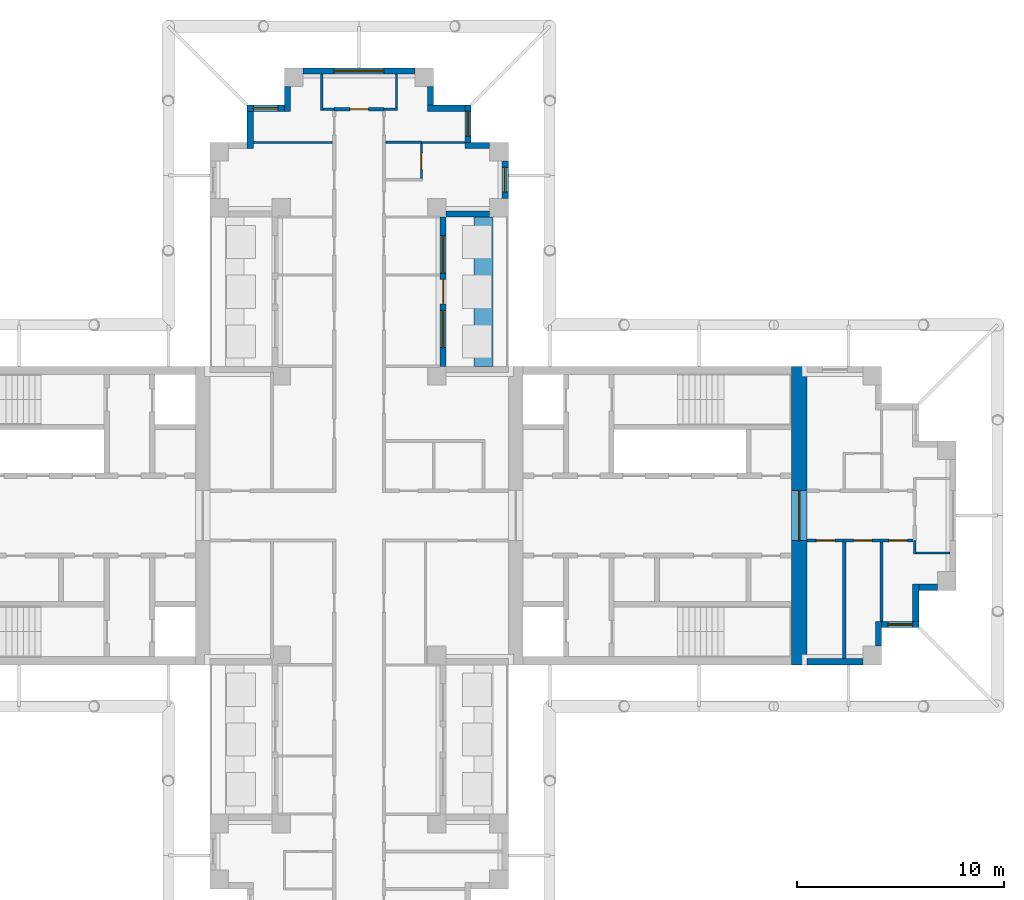
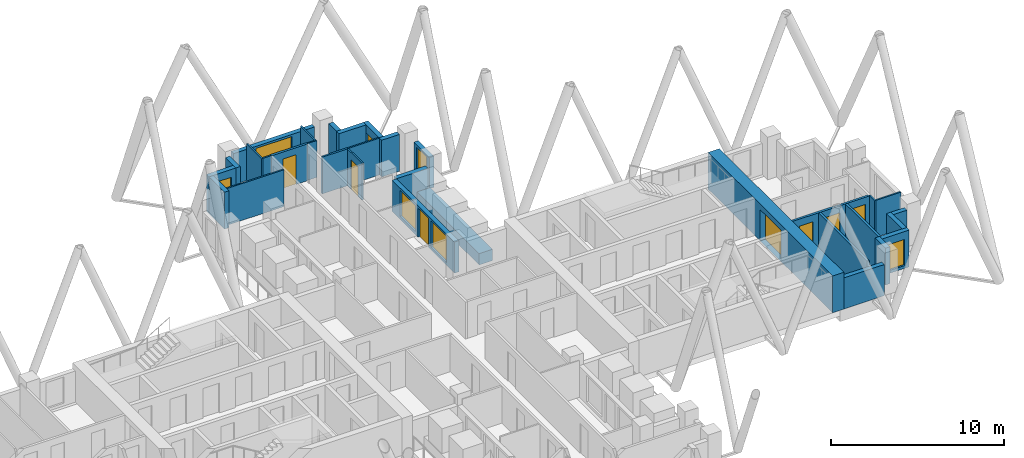
# One storey, part 8 of 12: 32 walls, 7 doors, 7 windows, 14 openings.
"""IFC4 building model written with IfcOpenShell, lengths in metres."""

from ifc_helpers import new_model, si_unit, direction, frame, frame_2d, origin, place, context, subcontext, project, spatial, rectangle, extrude, material, layer, layer_set, type_object, element, fill, save


model = new_model("IFC4")

# Units and contexts
model_context = context("Model", 3, precision=1e-05, world=origin(), true_north=direction((0.0, 1.0)))
body_context = subcontext(model_context, "Body", "Model", "MODEL_VIEW")
ifc_project = project(units=[si_unit("LENGTHUNIT", "METRE"), si_unit("AREAUNIT", "SQUARE_METRE"), si_unit("VOLUMEUNIT", "CUBIC_METRE"), si_unit("PLANEANGLEUNIT", "RADIAN"), si_unit("MASSUNIT", "GRAM", prefix="KILO")], contexts=[model_context])

# Site, building, storey
site_placement = place(None, origin())
site = spatial("IfcSite", under=ifc_project, at=site_placement, CompositionType="ELEMENT")
building_placement = place(site_placement, origin())
building = spatial("IfcBuilding", under=site, at=building_placement, Name="Fustian Cross Tower", CompositionType="ELEMENT")
storey_placement = place(building_placement, frame((0.0, 0.0, 179.699951171875)))
storey = spatial("IfcBuildingStorey", under=building, at=storey_placement, Name="L56", CompositionType="ELEMENT", Elevation=179.699951171875)

# Wall, opening, door
ifc_material_1 = material(Name="Plasterboard on steel stud", Category="steel")
ifc_layer_1 = layer(ifc_material_1, 0.14990234375)
ifc_layer_set_1 = layer_set([ifc_layer_1], Name="Plasterboard on steel stud")
wall_type_1 = type_object("IfcWallType", Name="COMPARTMENT WALL 150 EI 60", PredefinedType="PARTITIONING", material=ifc_layer_set_1)
wall_1_placement = place(storey_placement, frame((-1.199951171875, 19.60009765625, 0.0), z_axis=(0.0, 0.0, 1.0), x_axis=(1.0, 0.0, 0.0)))
wall_1 = element("IfcWall", 1, at=wall_1_placement, inside=storey, type_object=wall_type_1, Name="Partition 34", PredefinedType="PARTITIONING", context=body_context, shape_type="SweptSolid", body=[
    extrude(rectangle(XDim=2.39990234375, YDim=0.14990234375, at=frame_2d((1.199951171875, 0.0))), origin(), (0.0, 0.0, 1.0), 2.60009765625),
])
opening_1_placement = place(wall_1_placement, frame((0.75, 0.0, 0.0)))
opening_1 = element("IfcOpeningElement", 2, at=opening_1_placement, cuts=wall_1, Name="Opening D26017", PredefinedType="OPENING", context=body_context, shape_type="SweptSolid", body=[
    extrude(rectangle(XDim=0.89990234375, YDim=2.10009765625, at=frame_2d((0.449951171875, 1.050048828125))), frame((0.0, 0.0849609375, 0.0), z_axis=(0.0, -1.0, 0.0), x_axis=(1.0, 0.0, 0.0)), (0.0, 0.0, 1.0), 0.169921875),
])
ifc_material_2 = material(Name="Timber fire door set", Category="wood")
door_type_1 = type_object("IfcDoorType", Name="FIRE SWING DOOR 900 FD30S", OperationType="SINGLE_SWING_LEFT", PredefinedType="DOOR", material=ifc_material_2)
door_1_placement = place(opening_1_placement, origin())
door_1 = element("IfcDoor", 3, at=door_1_placement, inside=storey, type_object=door_type_1, Name="Door D26017", OperationType="SINGLE_SWING_LEFT", OverallHeight=2.10009765625, OverallWidth=0.89990234375, PredefinedType="DOOR", context=body_context, shape_type="SweptSolid", body=[
    extrude(rectangle(XDim=0.89990234375, YDim=2.10009765625, at=frame_2d((0.449951171875, 1.050048828125))), frame((0.0, 0.02490234375, 0.0), z_axis=(0.0, -1.0, 0.0), x_axis=(1.0, 0.0, 0.0)), (0.0, 0.0, 1.0), 0.050048828125),
])
fill(opening_1, door_1)

# Wall, openings, doors
wall_2_placement = place(storey_placement, frame((21.60009765625, -1.199951171875, 0.0), z_axis=(0.0, 0.0, 1.0), x_axis=(1.0, 0.0, 0.0)))
wall_2 = element("IfcWall", 4, at=wall_2_placement, inside=storey, type_object=wall_type_1, Name="Partition 58", PredefinedType="PARTITIONING", context=body_context, shape_type="SweptSolid", body=[
    extrude(rectangle(XDim=5.125, YDim=0.14990234375, at=frame_2d((2.5625, 0.0))), origin(), (0.0, 0.0, 1.0), 2.60009765625),
])
opening_2_placement = place(wall_2_placement, frame((0.449951171875, 0.0, 0.0)))
opening_2 = element("IfcOpeningElement", 5, at=opening_2_placement, cuts=wall_2, Name="Opening D26014", PredefinedType="OPENING", context=body_context, shape_type="SweptSolid", body=[
    extrude(rectangle(XDim=0.89990234375, YDim=2.10009765625, at=frame_2d((0.449951171875, 1.050048828125))), frame((0.0, 0.0849609375, 0.0), z_axis=(0.0, -1.0, 0.0), x_axis=(1.0, 0.0, 0.0)), (0.0, 0.0, 1.0), 0.169921875),
])
opening_3_placement = place(wall_2_placement, frame((2.25, 0.0, 0.0)))
opening_3 = element("IfcOpeningElement", 6, at=opening_3_placement, cuts=wall_2, Name="Opening D26015", PredefinedType="OPENING", context=body_context, shape_type="SweptSolid", body=[
    extrude(rectangle(XDim=0.89990234375, YDim=2.10009765625, at=frame_2d((0.449951171875, 1.050048828125))), frame((0.0, 0.0849609375, 0.0), z_axis=(0.0, -1.0, 0.0), x_axis=(1.0, 0.0, 0.0)), (0.0, 0.0, 1.0), 0.169921875),
])
opening_4_placement = place(wall_2_placement, frame((3.949951171875, 0.0, 0.0)))
opening_4 = element("IfcOpeningElement", 7, at=opening_4_placement, cuts=wall_2, Name="Opening D26016", PredefinedType="OPENING", context=body_context, shape_type="SweptSolid", body=[
    extrude(rectangle(XDim=0.89990234375, YDim=2.10009765625, at=frame_2d((0.449951171875, 1.050048828125))), frame((0.0, 0.0849609375, 0.0), z_axis=(0.0, -1.0, 0.0), x_axis=(1.0, 0.0, 0.0)), (0.0, 0.0, 1.0), 0.169921875),
])
door_2_placement = place(opening_2_placement, frame((0.89990234375, 0.0, 0.0), z_axis=(0.0, 0.0, 1.0), x_axis=(-1.0, 0.0, 0.0)))
door_2 = element("IfcDoor", 8, at=door_2_placement, inside=storey, type_object=door_type_1, Name="Door D26014", OperationType="SINGLE_SWING_LEFT", OverallHeight=2.10009765625, OverallWidth=0.89990234375, PredefinedType="DOOR", context=body_context, shape_type="SweptSolid", body=[
    extrude(rectangle(XDim=0.89990234375, YDim=2.10009765625, at=frame_2d((0.449951171875, 1.050048828125))), frame((0.0, 0.02490234375, 0.0), z_axis=(0.0, -1.0, 0.0), x_axis=(1.0, 0.0, 0.0)), (0.0, 0.0, 1.0), 0.050048828125),
])
fill(opening_2, door_2)
door_3_placement = place(opening_3_placement, frame((0.89990234375, 0.0, 0.0), z_axis=(0.0, 0.0, 1.0), x_axis=(-1.0, 0.0, 0.0)))
door_3 = element("IfcDoor", 9, at=door_3_placement, inside=storey, type_object=door_type_1, Name="Door D26015", OperationType="SINGLE_SWING_LEFT", OverallHeight=2.10009765625, OverallWidth=0.89990234375, PredefinedType="DOOR", context=body_context, shape_type="SweptSolid", body=[
    extrude(rectangle(XDim=0.89990234375, YDim=2.10009765625, at=frame_2d((0.449951171875, 1.050048828125))), frame((0.0, 0.02490234375, 0.0), z_axis=(0.0, -1.0, 0.0), x_axis=(1.0, 0.0, 0.0)), (0.0, 0.0, 1.0), 0.050048828125),
])
fill(opening_3, door_3)
door_4_placement = place(opening_4_placement, frame((0.89990234375, 0.0, 0.0), z_axis=(0.0, 0.0, 1.0), x_axis=(-1.0, 0.0, 0.0)))
door_4 = element("IfcDoor", 10, at=door_4_placement, inside=storey, type_object=door_type_1, Name="Door D26016", OperationType="SINGLE_SWING_RIGHT", OverallHeight=2.10009765625, OverallWidth=0.89990234375, PredefinedType="DOOR", context=body_context, shape_type="SweptSolid", body=[
    extrude(rectangle(XDim=0.89990234375, YDim=2.10009765625, at=frame_2d((0.449951171875, 1.050048828125))), frame((0.0, 0.02490234375, 0.0), z_axis=(0.0, -1.0, 0.0), x_axis=(1.0, 0.0, 0.0)), (0.0, 0.0, 1.0), 0.050048828125),
])
fill(opening_4, door_4)

# Walls
wall_3_placement = place(storey_placement, frame((23.39990234375, -6.89990234375, 0.0), z_axis=(0.0, 0.0, 1.0), x_axis=(0.0, 1.0, 0.0)))
element("IfcWall", 11, at=wall_3_placement, inside=storey, type_object=wall_type_1, Name="Partition 60", PredefinedType="PARTITIONING", context=body_context, shape_type="SweptSolid", body=[
    extrude(rectangle(XDim=5.625, YDim=0.14990234375, at=frame_2d((2.8125, 0.0))), origin(), (0.0, 0.0, 1.0), 2.60009765625),
])
wall_4_placement = place(storey_placement, frame((25.199951171875, -5.10009765625, 0.0), z_axis=(0.0, 0.0, 1.0), x_axis=(0.0, 1.0, 0.0)))
element("IfcWall", 12, at=wall_4_placement, inside=storey, type_object=wall_type_1, Name="Partition 63", PredefinedType="PARTITIONING", context=body_context, shape_type="SweptSolid", body=[
    extrude(rectangle(XDim=3.8251953125, YDim=0.14990234375, at=frame_2d((1.91259765625, 0.0))), origin(), (0.0, 0.0, 1.0), 2.60009765625),
])

# Wall, opening, door
ifc_material_3 = material(Name="Concrete C50/60", Category="concrete")
ifc_layer_2 = layer(ifc_material_3, 0.75)
ifc_layer_set_2 = layer_set([ifc_layer_2], Name="Concrete C50/60")
wall_type_2 = type_object("IfcWallType", Name="CORE END WALL 750 C50/60", PredefinedType="SHEAR", material=ifc_layer_set_2)
wall_5_placement = place(storey_placement, frame((21.22509765625, -7.199951171875, 0.0), z_axis=(0.0, 0.0, 1.0), x_axis=(0.0, 1.0, 0.0)))
wall_5 = element("IfcWall", 13, at=wall_5_placement, inside=storey, type_object=wall_type_2, Name="Core end wall", PredefinedType="SHEAR", context=body_context, shape_type="SweptSolid", body=[
    extrude(rectangle(XDim=14.39990234375, YDim=0.75, at=frame_2d((7.199951171875, 0.0))), origin(), (0.0, 0.0, 1.0), 2.60009765625),
])
opening_5_placement = place(wall_5_placement, frame((6.0, 0.0, 0.0)))
opening_5 = element("IfcOpeningElement", 14, at=opening_5_placement, cuts=wall_5, Name="Opening CD-23-13", PredefinedType="OPENING", context=body_context, shape_type="SweptSolid", body=[
    extrude(rectangle(XDim=2.39990234375, YDim=2.199951171875, at=frame_2d((1.199951171875, 1.10009765625))), frame((0.0, 0.385009765625, 0.0), z_axis=(0.0, -1.0, 0.0), x_axis=(1.0, 0.0, 0.0)), (0.0, 0.0, 1.0), 0.77001953125),
])
ifc_material_4 = material(Name="Steel", Category="steel")
door_type_2 = type_object("IfcDoorType", Name="FIRE DOOR FD30S DOUBLE 2400X2200", OperationType="DOUBLE_DOOR_DOUBLE_SWING", PredefinedType="DOOR", material=ifc_material_4)
door_5_placement = place(opening_5_placement, origin())
door_5 = element("IfcDoor", 15, at=door_5_placement, inside=storey, type_object=door_type_2, Name="Core door CD-23-13", OperationType="DOUBLE_DOOR_DOUBLE_SWING", OverallHeight=2.199951171875, OverallWidth=2.39990234375, PredefinedType="DOOR", context=body_context, shape_type="SweptSolid", body=[
    extrude(rectangle(XDim=2.39990234375, YDim=2.199951171875, at=frame_2d((1.199951171875, 1.10009765625))), frame((0.0, 0.02490234375, 0.0), z_axis=(0.0, -1.0, 0.0), x_axis=(1.0, 0.0, 0.0)), (0.0, 0.0, 1.0), 0.050048828125),
])
fill(opening_5, door_5)

# Walls
ifc_material_5 = material(Name="Plasterboard on steel stud", Category="steel")
ifc_layer_3 = layer(ifc_material_5, 0.10009765625)
ifc_layer_set_3 = layer_set([ifc_layer_3], Name="Plasterboard on steel stud")
wall_type_3 = type_object("IfcWallType", Name="PARTITION 100 STUD", PredefinedType="PARTITIONING", material=ifc_layer_set_3)
wall_6_placement = place(storey_placement, frame((-5.10009765625, 18.0, 0.0), z_axis=(0.0, 0.0, 1.0), x_axis=(1.0, 0.0, 0.0)))
element("IfcWall", 16, at=wall_6_placement, inside=storey, type_object=wall_type_3, Name="Partition 15", PredefinedType="PARTITIONING", context=body_context, shape_type="SweptSolid", body=[
    extrude(rectangle(XDim=3.8251953125, YDim=0.10009765625, at=frame_2d((1.91259765625, 0.0))), origin(), (0.0, 0.0, 1.0), 2.60009765625),
])
wall_7_placement = place(storey_placement, frame((-1.800048828125, 19.550048828125, 0.0), z_axis=(0.0, 0.0, 1.0), x_axis=(0.0, 1.0, 0.0)))
element("IfcWall", 17, at=wall_7_placement, inside=storey, type_object=wall_type_3, Name="Partition 29", PredefinedType="PARTITIONING", context=body_context, shape_type="SweptSolid", body=[
    extrude(rectangle(XDim=1.75, YDim=0.10009765625, at=frame_2d((0.875, 0.0))), origin(), (0.0, 0.0, 1.0), 2.60009765625),
])
wall_8_placement = place(storey_placement, frame((-1.75, 19.60009765625, 0.0), z_axis=(0.0, 0.0, 1.0), x_axis=(1.0, 0.0, 0.0)))
element("IfcWall", 18, at=wall_8_placement, inside=storey, type_object=wall_type_3, Name="Partition 30", PredefinedType="PARTITIONING", context=body_context, shape_type="SweptSolid", body=[
    extrude(rectangle(XDim=0.550048828125, YDim=0.10009765625, at=frame_2d((0.27490234375, 0.0))), origin(), (0.0, 0.0, 1.0), 2.60009765625),
])
wall_9_placement = place(storey_placement, frame((1.199951171875, 19.60009765625, 0.0), z_axis=(0.0, 0.0, 1.0), x_axis=(1.0, 0.0, 0.0)))
element("IfcWall", 19, at=wall_9_placement, inside=storey, type_object=wall_type_3, Name="Partition 50", PredefinedType="PARTITIONING", context=body_context, shape_type="SweptSolid", body=[
    extrude(rectangle(XDim=0.650146484375, YDim=0.10009765625, at=frame_2d((0.3251953125, 0.0))), origin(), (0.0, 0.0, 1.0), 2.60009765625),
])
wall_10_placement = place(storey_placement, frame((1.800048828125, 19.64990234375, 0.0), z_axis=(0.0, 0.0, 1.0), x_axis=(0.0, 1.0, 0.0)))
element("IfcWall", 20, at=wall_10_placement, inside=storey, type_object=wall_type_3, Name="Partition 52", PredefinedType="PARTITIONING", context=body_context, shape_type="SweptSolid", body=[
    extrude(rectangle(XDim=1.650146484375, YDim=0.10009765625, at=frame_2d((0.8251953125, 0.0))), origin(), (0.0, 0.0, 1.0), 2.60009765625),
])

# Wall, opening, door
wall_11_placement = place(storey_placement, frame((3.0, 16.25, 0.0), z_axis=(0.0, 0.0, 1.0), x_axis=(0.0, 1.0, 0.0)))
wall_11 = element("IfcWall", 21, at=wall_11_placement, inside=storey, type_object=wall_type_3, Name="Partition 53", PredefinedType="PARTITIONING", context=body_context, shape_type="SweptSolid", body=[
    extrude(rectangle(XDim=1.6875, YDim=0.10009765625, at=frame_2d((0.84375, 0.0))), origin(), (0.0, 0.0, 1.0), 2.60009765625),
])
opening_6_placement = place(wall_11_placement, frame((0.449951171875, 0.0, 0.0)))
opening_6 = element("IfcOpeningElement", 22, at=opening_6_placement, cuts=wall_11, Name="Opening D26024", PredefinedType="OPENING", context=body_context, shape_type="SweptSolid", body=[
    extrude(rectangle(XDim=0.800048828125, YDim=2.10009765625, at=frame_2d((0.39990234375, 1.050048828125))), frame((0.0, 0.06005859375, 0.0), z_axis=(0.0, -1.0, 0.0), x_axis=(1.0, 0.0, 0.0)), (0.0, 0.0, 1.0), 0.1201171875),
])
ifc_material_6 = material(Name="Painted timber", Category="wood")
door_type_3 = type_object("IfcDoorType", Name="SWING DOOR 800", OperationType="SINGLE_SWING_LEFT", PredefinedType="DOOR", material=ifc_material_6)
door_6_placement = place(opening_6_placement, origin())
door_6 = element("IfcDoor", 23, at=door_6_placement, inside=storey, type_object=door_type_3, Name="Door D26024", OperationType="SINGLE_SWING_RIGHT", OverallHeight=2.10009765625, OverallWidth=0.800048828125, PredefinedType="DOOR", context=body_context, shape_type="SweptSolid", body=[
    extrude(rectangle(XDim=0.800048828125, YDim=2.10009765625, at=frame_2d((0.39990234375, 1.050048828125))), frame((0.0, 0.02490234375, 0.0), z_axis=(0.0, -1.0, 0.0), x_axis=(1.0, 0.0, 0.0)), (0.0, 0.0, 1.0), 0.050048828125),
])
fill(opening_6, door_6)

# Walls
wall_12_placement = place(storey_placement, frame((3.0, 18.0, 0.0), z_axis=(0.0, 0.0, 1.0), x_axis=(1.0, 0.0, 0.0)))
element("IfcWall", 24, at=wall_12_placement, inside=storey, type_object=wall_type_3, Name="Partition 54", PredefinedType="PARTITIONING", context=body_context, shape_type="SweptSolid", body=[
    extrude(rectangle(XDim=2.10009765625, YDim=0.10009765625, at=frame_2d((1.050048828125, 0.0))), origin(), (0.0, 0.0, 1.0), 2.60009765625),
])
wall_13_placement = place(storey_placement, frame((26.800048828125, -1.85009765625, 0.0), z_axis=(0.0, 0.0, 1.0), x_axis=(0.0, 1.0, 0.0)))
element("IfcWall", 25, at=wall_13_placement, inside=storey, type_object=wall_type_3, Name="Partition 66", PredefinedType="PARTITIONING", context=body_context, shape_type="SweptSolid", body=[
    extrude(rectangle(XDim=0.650146484375, YDim=0.10009765625, at=frame_2d((0.3251953125, 0.0))), origin(), (0.0, 0.0, 1.0), 2.60009765625),
])
wall_14_placement = place(storey_placement, frame((26.85009765625, -1.800048828125, 0.0), z_axis=(0.0, 0.0, 1.0), x_axis=(1.0, 0.0, 0.0)))
element("IfcWall", 26, at=wall_14_placement, inside=storey, type_object=wall_type_3, Name="Partition 67", PredefinedType="PARTITIONING", context=body_context, shape_type="SweptSolid", body=[
    extrude(rectangle(XDim=1.64990234375, YDim=0.10009765625, at=frame_2d((0.824951171875, 0.0))), origin(), (0.0, 0.0, 1.0), 2.60009765625),
])
ifc_material_7 = material(Name="Concrete C40/50", Category="concrete")
ifc_layer_4 = layer(ifc_material_7, 0.89990234375)
ifc_layer_set_4 = layer_set([ifc_layer_4], Name="Concrete C40/50")
wall_type_4 = type_object("IfcWallType", Name="PK1 PLANTER 900", PredefinedType="PARAPET", material=ifc_layer_set_4)
wall_15_placement = place(storey_placement, frame((6.0, 7.199951171875, 0.0), z_axis=(0.0, 0.0, 1.0), x_axis=(0.0, 1.0, 0.0)))
element("IfcWall", 27, at=wall_15_placement, inside=storey, type_object=wall_type_4, Name="PLANTER", PredefinedType="PARAPET", context=body_context, shape_type="SweptSolid", body=[
    extrude(rectangle(XDim=7.199951171875, YDim=0.89990234375, at=frame_2d((3.60009765625, 0.0))), origin(), (0.0, 0.0, 1.0), 0.800048828125),
])
ifc_material_8 = material(Name="Plasterboard on steel stud", Category="steel")
ifc_layer_5 = layer(ifc_material_8, 0.125)
ifc_layer_set_5 = layer_set([ifc_layer_5], Name="Plasterboard on steel stud")
wall_type_5 = type_object("IfcWallType", Name="WET WALL 125 STUD", PredefinedType="PARTITIONING", material=ifc_layer_set_5)
wall_16_placement = place(storey_placement, frame((1.27490234375, 18.0, 0.0), z_axis=(0.0, 0.0, 1.0), x_axis=(1.0, 0.0, 0.0)))
element("IfcWall", 28, at=wall_16_placement, inside=storey, type_object=wall_type_5, Name="Partition 49", PredefinedType="PARTITIONING", context=body_context, shape_type="SweptSolid", body=[
    extrude(rectangle(XDim=1.72509765625, YDim=0.125, at=frame_2d((0.862548828125, 0.0))), origin(), (0.0, 0.0, 1.0), 2.60009765625),
])
ifc_material_9 = material(Name="Dark aluminium cladding on insulated backing wall", Category="aluminium")
ifc_layer_6 = layer(ifc_material_9, 0.300048828125)
ifc_layer_set_6 = layer_set([ifc_layer_6], Name="Dark aluminium cladding on insulated backing wall")
wall_type_6 = type_object("IfcWallType", Name="XW1 EXTERNAL WALL 300", PredefinedType="SOLIDWALL", material=ifc_layer_set_6)
wall_17_placement = place(storey_placement, frame((21.60009765625, -7.050048828125, 0.0), z_axis=(0.0, 0.0, 1.0), x_axis=(1.0, 0.0, 0.0)))
element("IfcWall", 29, at=wall_17_placement, inside=storey, type_object=wall_type_6, Name="External wall", PredefinedType="SOLIDWALL", context=body_context, shape_type="SweptSolid", body=[
    extrude(rectangle(XDim=2.699951171875, YDim=0.300048828125, at=frame_2d((1.35009765625, 0.0))), origin(), (0.0, 0.0, 1.0), 2.199951171875),
])
wall_18_placement = place(storey_placement, frame((25.050048828125, -6.300048828125, 0.0), z_axis=(0.0, 0.0, 1.0), x_axis=(0.0, 1.0, 0.0)))
element("IfcWall", 30, at=wall_18_placement, inside=storey, type_object=wall_type_6, Name="External wall", PredefinedType="SOLIDWALL", context=body_context, shape_type="SweptSolid", body=[
    extrude(rectangle(XDim=1.199951171875, YDim=0.300048828125, at=frame_2d((0.60009765625, 0.0))), origin(), (0.0, 0.0, 1.0), 2.60009765625),
])

# Wall, opening, window
wall_19_placement = place(storey_placement, frame((25.199951171875, -5.25, 0.0), z_axis=(0.0, 0.0, 1.0), x_axis=(1.0, 0.0, 0.0)))
wall_19 = element("IfcWall", 31, at=wall_19_placement, inside=storey, type_object=wall_type_6, Name="External wall", PredefinedType="SOLIDWALL", context=body_context, shape_type="SweptSolid", body=[
    extrude(rectangle(XDim=1.800048828125, YDim=0.300048828125, at=frame_2d((0.89990234375, 0.0))), origin(), (0.0, 0.0, 1.0), 2.60009765625),
])
opening_7_placement = place(wall_19_placement, frame((0.300048828125, 0.0, 0.199951171875)))
opening_7 = element("IfcOpeningElement", 32, at=opening_7_placement, cuts=wall_19, Name="Opening WN3", PredefinedType="OPENING", context=body_context, shape_type="SweptSolid", body=[
    extrude(rectangle(XDim=1.199951171875, YDim=1.85009765625, at=frame_2d((0.60009765625, 0.925048828125))), frame((0.0, 0.159912109375, 0.0), z_axis=(0.0, -1.0, 0.0), x_axis=(1.0, 0.0, 0.0)), (0.0, 0.0, 1.0), 0.320068359375),
])
ifc_material_10 = material(Name="Dark anodised aluminium and double glazing", Category="aluminium")
window_type_1 = type_object("IfcWindowType", Name="WN3 WINDOW 1200X1850", PartitioningType="SINGLE_PANEL", PredefinedType="WINDOW", material=ifc_material_10)
window_1_placement = place(opening_7_placement, origin())
window_1 = element("IfcWindow", 33, at=window_1_placement, inside=storey, type_object=window_type_1, Name="Window", OverallHeight=1.85009765625, OverallWidth=1.199951171875, PartitioningType="SINGLE_PANEL", PredefinedType="WINDOW", context=body_context, shape_type="SweptSolid", body=[
    extrude(rectangle(XDim=1.199951171875, YDim=1.85009765625, at=frame_2d((0.60009765625, 0.925048828125))), frame((0.0, 0.030029296875, 0.0), z_axis=(0.0, -1.0, 0.0), x_axis=(1.0, 0.0, 0.0)), (0.0, 0.0, 1.0), 0.06005859375),
])
fill(opening_7, window_1)

# Walls
wall_20_placement = place(storey_placement, frame((26.85009765625, -5.10009765625, 0.0), z_axis=(0.0, 0.0, 1.0), x_axis=(0.0, 1.0, 0.0)))
element("IfcWall", 34, at=wall_20_placement, inside=storey, type_object=wall_type_6, Name="External wall", PredefinedType="SOLIDWALL", context=body_context, shape_type="SweptSolid", body=[
    extrude(rectangle(XDim=1.800048828125, YDim=0.300048828125, at=frame_2d((0.89990234375, 0.0))), origin(), (0.0, 0.0, 1.0), 2.60009765625),
])
wall_21_placement = place(storey_placement, frame((27.0, -3.449951171875, 0.0), z_axis=(0.0, 0.0, 1.0), x_axis=(1.0, 0.0, 0.0)))
element("IfcWall", 35, at=wall_21_placement, inside=storey, type_object=wall_type_6, Name="External wall", PredefinedType="SOLIDWALL", context=body_context, shape_type="SweptSolid", body=[
    extrude(rectangle(XDim=0.89990234375, YDim=0.300048828125, at=frame_2d((0.449951171875, 0.0))), origin(), (0.0, 0.0, 1.0), 2.60009765625),
])

# Wall, openings, door, windows
wall_22_placement = place(storey_placement, frame((4.050048828125, 7.199951171875, 0.0), z_axis=(0.0, 0.0, 1.0), x_axis=(0.0, 1.0, 0.0)))
wall_22 = element("IfcWall", 36, at=wall_22_placement, inside=storey, type_object=wall_type_6, Name="External wall", PredefinedType="SOLIDWALL", context=body_context, shape_type="SweptSolid", body=[
    extrude(rectangle(XDim=7.199951171875, YDim=0.300048828125, at=frame_2d((3.60009765625, 0.0))), origin(), (0.0, 0.0, 1.0), 2.199951171875),
])
opening_8_placement = place(wall_22_placement, frame((3.0, 0.0, 0.0)))
opening_8 = element("IfcOpeningElement", 37, at=opening_8_placement, cuts=wall_22, Name="Opening XD1", PredefinedType="OPENING", context=body_context, shape_type="SweptSolid", body=[
    extrude(rectangle(XDim=1.199951171875, YDim=2.050048828125, at=frame_2d((0.60009765625, 1.02490234375))), frame((0.0, 0.159912109375, 0.0), z_axis=(0.0, -1.0, 0.0), x_axis=(1.0, 0.0, 0.0)), (0.0, 0.0, 1.0), 0.320068359375),
])
opening_9_placement = place(wall_22_placement, frame((0.89990234375, 0.0, 0.199951171875)))
opening_9 = element("IfcOpeningElement", 38, at=opening_9_placement, cuts=wall_22, Name="Opening WN2", PredefinedType="OPENING", context=body_context, shape_type="SweptSolid", body=[
    extrude(rectangle(XDim=1.800048828125, YDim=1.85009765625, at=frame_2d((0.89990234375, 0.925048828125))), frame((0.0, 0.159912109375, 0.0), z_axis=(0.0, -1.0, 0.0), x_axis=(1.0, 0.0, 0.0)), (0.0, 0.0, 1.0), 0.320068359375),
])
opening_10_placement = place(wall_22_placement, frame((4.5, 0.0, 0.199951171875)))
opening_10 = element("IfcOpeningElement", 39, at=opening_10_placement, cuts=wall_22, Name="Opening WN2", PredefinedType="OPENING", context=body_context, shape_type="SweptSolid", body=[
    extrude(rectangle(XDim=1.800048828125, YDim=1.85009765625, at=frame_2d((0.89990234375, 0.925048828125))), frame((0.0, 0.159912109375, 0.0), z_axis=(0.0, -1.0, 0.0), x_axis=(1.0, 0.0, 0.0)), (0.0, 0.0, 1.0), 0.320068359375),
])
ifc_material_11 = material(Name="Dark anodised aluminium and double glazing", Category="aluminium")
door_type_4 = type_object("IfcDoorType", Name="ED1 BALCONY DOOR 1200X2050", OperationType="SINGLE_SWING_LEFT", PredefinedType="DOOR", material=ifc_material_11)
door_7_placement = place(opening_8_placement, origin())
door_7 = element("IfcDoor", 40, at=door_7_placement, inside=storey, type_object=door_type_4, Name="Balcony door", OperationType="SINGLE_SWING_LEFT", OverallHeight=2.050048828125, OverallWidth=1.199951171875, PredefinedType="DOOR", context=body_context, shape_type="SweptSolid", body=[
    extrude(rectangle(XDim=1.199951171875, YDim=2.050048828125, at=frame_2d((0.60009765625, 1.02490234375))), frame((0.0, 0.02490234375, 0.0), z_axis=(0.0, -1.0, 0.0), x_axis=(1.0, 0.0, 0.0)), (0.0, 0.0, 1.0), 0.050048828125),
])
fill(opening_8, door_7)
ifc_material_12 = material(Name="Dark anodised aluminium and double glazing", Category="aluminium")
window_type_2 = type_object("IfcWindowType", Name="WN2 WINDOW 1800X1850", PartitioningType="SINGLE_PANEL", PredefinedType="WINDOW", material=ifc_material_12)
window_2_placement = place(opening_9_placement, origin())
window_2 = element("IfcWindow", 41, at=window_2_placement, inside=storey, type_object=window_type_2, Name="Window", OverallHeight=1.85009765625, OverallWidth=1.800048828125, PartitioningType="SINGLE_PANEL", PredefinedType="WINDOW", context=body_context, shape_type="SweptSolid", body=[
    extrude(rectangle(XDim=1.800048828125, YDim=1.85009765625, at=frame_2d((0.89990234375, 0.925048828125))), frame((0.0, 0.030029296875, 0.0), z_axis=(0.0, -1.0, 0.0), x_axis=(1.0, 0.0, 0.0)), (0.0, 0.0, 1.0), 0.06005859375),
])
fill(opening_9, window_2)
window_3_placement = place(opening_10_placement, origin())
window_3 = element("IfcWindow", 42, at=window_3_placement, inside=storey, type_object=window_type_2, Name="Window", OverallHeight=1.85009765625, OverallWidth=1.800048828125, PartitioningType="SINGLE_PANEL", PredefinedType="WINDOW", context=body_context, shape_type="SweptSolid", body=[
    extrude(rectangle(XDim=1.800048828125, YDim=1.85009765625, at=frame_2d((0.89990234375, 0.925048828125))), frame((0.0, 0.030029296875, 0.0), z_axis=(0.0, -1.0, 0.0), x_axis=(1.0, 0.0, 0.0)), (0.0, 0.0, 1.0), 0.06005859375),
])
fill(opening_10, window_3)

# Wall
wall_23_placement = place(storey_placement, frame((4.199951171875, 14.550048828125, 0.0), z_axis=(0.0, 0.0, 1.0), x_axis=(1.0, 0.0, 0.0)))
element("IfcWall", 43, at=wall_23_placement, inside=storey, type_object=wall_type_6, Name="External wall", PredefinedType="SOLIDWALL", context=body_context, shape_type="SweptSolid", body=[
    extrude(rectangle(XDim=2.10009765625, YDim=0.300048828125, at=frame_2d((1.050048828125, 0.0))), origin(), (0.0, 0.0, 1.0), 2.199951171875),
])

# Wall, opening, window
wall_24_placement = place(storey_placement, frame((7.050048828125, 15.300048828125, 0.0), z_axis=(0.0, 0.0, 1.0), x_axis=(0.0, 1.0, 0.0)))
wall_24 = element("IfcWall", 44, at=wall_24_placement, inside=storey, type_object=wall_type_6, Name="External wall", PredefinedType="SOLIDWALL", context=body_context, shape_type="SweptSolid", body=[
    extrude(rectangle(XDim=1.800048828125, YDim=0.300048828125, at=frame_2d((0.89990234375, 0.0))), origin(), (0.0, 0.0, 1.0), 2.199951171875),
])
opening_11_placement = place(wall_24_placement, frame((0.300048828125, 0.0, 0.199951171875)))
opening_11 = element("IfcOpeningElement", 45, at=opening_11_placement, cuts=wall_24, Name="Opening WN3", PredefinedType="OPENING", context=body_context, shape_type="SweptSolid", body=[
    extrude(rectangle(XDim=1.199951171875, YDim=1.85009765625, at=frame_2d((0.60009765625, 0.925048828125))), frame((0.0, 0.159912109375, 0.0), z_axis=(0.0, -1.0, 0.0), x_axis=(1.0, 0.0, 0.0)), (0.0, 0.0, 1.0), 0.320068359375),
])
window_4_placement = place(opening_11_placement, origin())
window_4 = element("IfcWindow", 46, at=window_4_placement, inside=storey, type_object=window_type_1, Name="Window", OverallHeight=1.85009765625, OverallWidth=1.199951171875, PartitioningType="SINGLE_PANEL", PredefinedType="WINDOW", context=body_context, shape_type="SweptSolid", body=[
    extrude(rectangle(XDim=1.199951171875, YDim=1.85009765625, at=frame_2d((0.60009765625, 0.925048828125))), frame((0.0, 0.030029296875, 0.0), z_axis=(0.0, -1.0, 0.0), x_axis=(1.0, 0.0, 0.0)), (0.0, 0.0, 1.0), 0.06005859375),
])
fill(opening_11, window_4)

# Wall
wall_25_placement = place(storey_placement, frame((6.300048828125, 17.85009765625, 0.0), z_axis=(0.0, 0.0, 1.0), x_axis=(-1.0, 0.0, 0.0)))
element("IfcWall", 47, at=wall_25_placement, inside=storey, type_object=wall_type_6, Name="External wall", PredefinedType="SOLIDWALL", context=body_context, shape_type="SweptSolid", body=[
    extrude(rectangle(XDim=1.199951171875, YDim=0.300048828125, at=frame_2d((0.60009765625, 0.0))), origin(), (0.0, 0.0, 1.0), 2.60009765625),
])

# Wall, opening, window
wall_26_placement = place(storey_placement, frame((5.25, 18.0, 0.0), z_axis=(0.0, 0.0, 1.0), x_axis=(0.0, 1.0, 0.0)))
wall_26 = element("IfcWall", 48, at=wall_26_placement, inside=storey, type_object=wall_type_6, Name="External wall", PredefinedType="SOLIDWALL", context=body_context, shape_type="SweptSolid", body=[
    extrude(rectangle(XDim=1.800048828125, YDim=0.300048828125, at=frame_2d((0.89990234375, 0.0))), origin(), (0.0, 0.0, 1.0), 2.60009765625),
])
opening_12_placement = place(wall_26_placement, frame((0.300048828125, 0.0, 0.199951171875)))
opening_12 = element("IfcOpeningElement", 49, at=opening_12_placement, cuts=wall_26, Name="Opening WN3", PredefinedType="OPENING", context=body_context, shape_type="SweptSolid", body=[
    extrude(rectangle(XDim=1.199951171875, YDim=1.85009765625, at=frame_2d((0.60009765625, 0.925048828125))), frame((0.0, 0.159912109375, 0.0), z_axis=(0.0, -1.0, 0.0), x_axis=(1.0, 0.0, 0.0)), (0.0, 0.0, 1.0), 0.320068359375),
])
window_5_placement = place(opening_12_placement, origin())
window_5 = element("IfcWindow", 50, at=window_5_placement, inside=storey, type_object=window_type_1, Name="Window", OverallHeight=1.85009765625, OverallWidth=1.199951171875, PartitioningType="SINGLE_PANEL", PredefinedType="WINDOW", context=body_context, shape_type="SweptSolid", body=[
    extrude(rectangle(XDim=1.199951171875, YDim=1.85009765625, at=frame_2d((0.60009765625, 0.925048828125))), frame((0.0, 0.030029296875, 0.0), z_axis=(0.0, -1.0, 0.0), x_axis=(1.0, 0.0, 0.0)), (0.0, 0.0, 1.0), 0.06005859375),
])
fill(opening_12, window_5)

# Walls
wall_27_placement = place(storey_placement, frame((5.10009765625, 19.64990234375, 0.0), z_axis=(0.0, 0.0, 1.0), x_axis=(-1.0, 0.0, 0.0)))
element("IfcWall", 51, at=wall_27_placement, inside=storey, type_object=wall_type_6, Name="External wall", PredefinedType="SOLIDWALL", context=body_context, shape_type="SweptSolid", body=[
    extrude(rectangle(XDim=1.800048828125, YDim=0.300048828125, at=frame_2d((0.89990234375, 0.0))), origin(), (0.0, 0.0, 1.0), 2.60009765625),
])
wall_28_placement = place(storey_placement, frame((3.449951171875, 19.800048828125, 0.0), z_axis=(0.0, 0.0, 1.0), x_axis=(0.0, 1.0, 0.0)))
element("IfcWall", 52, at=wall_28_placement, inside=storey, type_object=wall_type_6, Name="External wall", PredefinedType="SOLIDWALL", context=body_context, shape_type="SweptSolid", body=[
    extrude(rectangle(XDim=0.89990234375, YDim=0.300048828125, at=frame_2d((0.449951171875, 0.0))), origin(), (0.0, 0.0, 1.0), 2.60009765625),
])

# Wall, opening, window
wall_29_placement = place(storey_placement, frame((2.699951171875, 21.449951171875, 0.0), z_axis=(0.0, 0.0, 1.0), x_axis=(-1.0, 0.0, 0.0)))
wall_29 = element("IfcWall", 53, at=wall_29_placement, inside=storey, type_object=wall_type_6, Name="External wall", PredefinedType="SOLIDWALL", context=body_context, shape_type="SweptSolid", body=[
    extrude(rectangle(XDim=5.39990234375, YDim=0.300048828125, at=frame_2d((2.699951171875, 0.0))), origin(), (0.0, 0.0, 1.0), 2.199951171875),
])
opening_13_placement = place(wall_29_placement, frame((1.5, 0.0, 0.199951171875)))
opening_13 = element("IfcOpeningElement", 54, at=opening_13_placement, cuts=wall_29, Name="Opening WN1", PredefinedType="OPENING", context=body_context, shape_type="SweptSolid", body=[
    extrude(rectangle(XDim=2.39990234375, YDim=1.85009765625, at=frame_2d((1.199951171875, 0.925048828125))), frame((0.0, 0.159912109375, 0.0), z_axis=(0.0, -1.0, 0.0), x_axis=(1.0, 0.0, 0.0)), (0.0, 0.0, 1.0), 0.320068359375),
])
ifc_material_13 = material(Name="Dark anodised aluminium and double glazing", Category="aluminium")
window_type_3 = type_object("IfcWindowType", Name="WN1 WINDOW 2400X1850", PartitioningType="SINGLE_PANEL", PredefinedType="WINDOW", material=ifc_material_13)
window_6_placement = place(opening_13_placement, origin())
window_6 = element("IfcWindow", 55, at=window_6_placement, inside=storey, type_object=window_type_3, Name="Window", OverallHeight=1.85009765625, OverallWidth=2.39990234375, PartitioningType="SINGLE_PANEL", PredefinedType="WINDOW", context=body_context, shape_type="SweptSolid", body=[
    extrude(rectangle(XDim=2.39990234375, YDim=1.85009765625, at=frame_2d((1.199951171875, 0.925048828125))), frame((0.0, 0.030029296875, 0.0), z_axis=(0.0, -1.0, 0.0), x_axis=(1.0, 0.0, 0.0)), (0.0, 0.0, 1.0), 0.06005859375),
])
fill(opening_13, window_6)

# Wall
wall_30_placement = place(storey_placement, frame((-3.449951171875, 20.699951171875, 0.0), z_axis=(0.0, 0.0, 1.0), x_axis=(0.0, -1.0, 0.0)))
element("IfcWall", 56, at=wall_30_placement, inside=storey, type_object=wall_type_6, Name="External wall", PredefinedType="SOLIDWALL", context=body_context, shape_type="SweptSolid", body=[
    extrude(rectangle(XDim=1.199951171875, YDim=0.300048828125, at=frame_2d((0.60009765625, 0.0))), origin(), (0.0, 0.0, 1.0), 2.60009765625),
])

# Wall, opening, window
wall_31_placement = place(storey_placement, frame((-3.60009765625, 19.64990234375, 0.0), z_axis=(0.0, 0.0, 1.0), x_axis=(-1.0, 0.0, 0.0)))
wall_31 = element("IfcWall", 57, at=wall_31_placement, inside=storey, type_object=wall_type_6, Name="External wall", PredefinedType="SOLIDWALL", context=body_context, shape_type="SweptSolid", body=[
    extrude(rectangle(XDim=1.7998046875, YDim=0.300048828125, at=frame_2d((0.89990234375, 0.0))), origin(), (0.0, 0.0, 1.0), 2.60009765625),
])
opening_14_placement = place(wall_31_placement, frame((0.300048828125, 0.0, 0.199951171875)))
opening_14 = element("IfcOpeningElement", 58, at=opening_14_placement, cuts=wall_31, Name="Opening WN3", PredefinedType="OPENING", context=body_context, shape_type="SweptSolid", body=[
    extrude(rectangle(XDim=1.199951171875, YDim=1.85009765625, at=frame_2d((0.60009765625, 0.925048828125))), frame((0.0, 0.159912109375, 0.0), z_axis=(0.0, -1.0, 0.0), x_axis=(1.0, 0.0, 0.0)), (0.0, 0.0, 1.0), 0.320068359375),
])
window_7_placement = place(opening_14_placement, origin())
window_7 = element("IfcWindow", 59, at=window_7_placement, inside=storey, type_object=window_type_1, Name="Window", OverallHeight=1.85009765625, OverallWidth=1.199951171875, PartitioningType="SINGLE_PANEL", PredefinedType="WINDOW", context=body_context, shape_type="SweptSolid", body=[
    extrude(rectangle(XDim=1.199951171875, YDim=1.85009765625, at=frame_2d((0.60009765625, 0.925048828125))), frame((0.0, 0.030029296875, 0.0), z_axis=(0.0, -1.0, 0.0), x_axis=(1.0, 0.0, 0.0)), (0.0, 0.0, 1.0), 0.06005859375),
])
fill(opening_14, window_7)

# Wall
wall_32_placement = place(storey_placement, frame((-5.25, 19.5, 0.0), z_axis=(0.0, 0.0, 1.0), x_axis=(0.0, -1.0, 0.0)))
element("IfcWall", 60, at=wall_32_placement, inside=storey, type_object=wall_type_6, Name="External wall", PredefinedType="SOLIDWALL", context=body_context, shape_type="SweptSolid", body=[
    extrude(rectangle(XDim=1.800048828125, YDim=0.300048828125, at=frame_2d((0.89990234375, 0.0))), origin(), (0.0, 0.0, 1.0), 2.60009765625),
])

save(model, "model.ifc")
